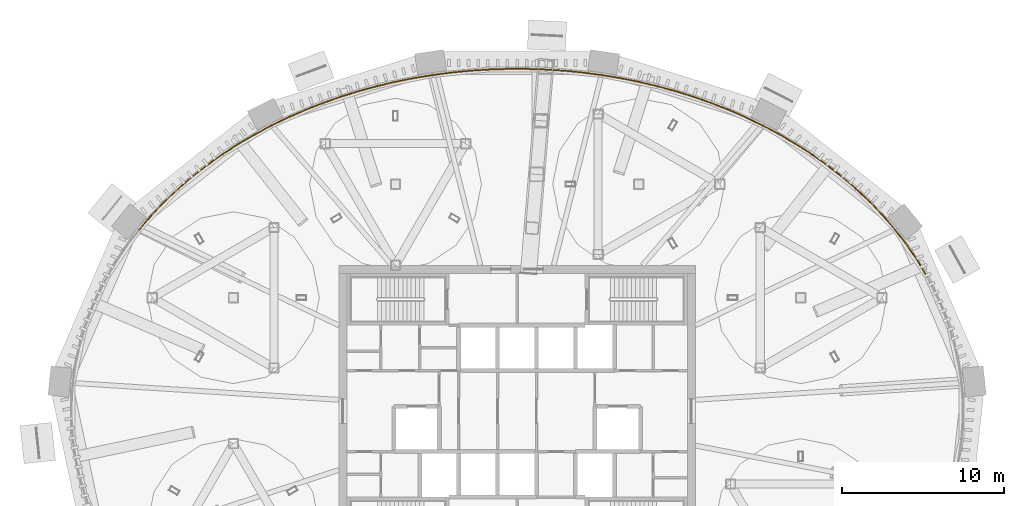
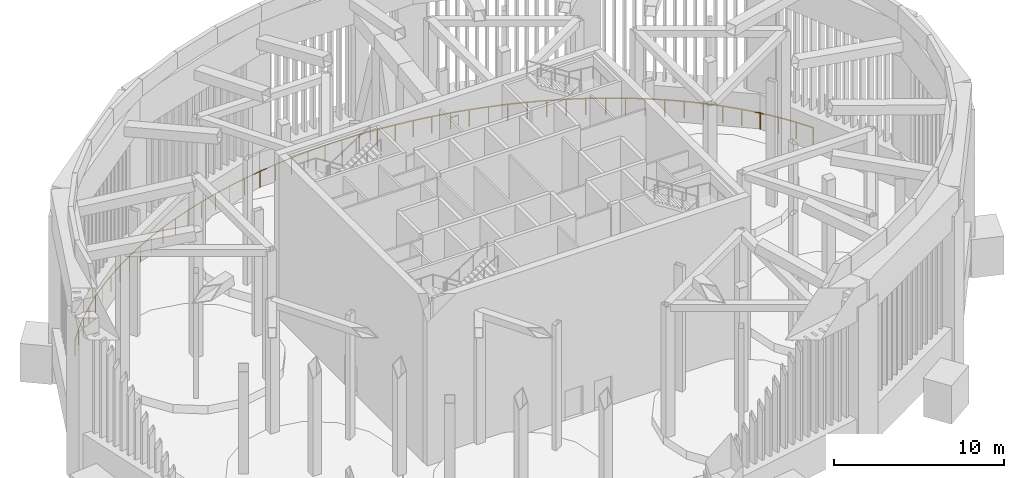
# One storey, part 14 of 14: 8 railings.
"""IFC4 building model written with IfcOpenShell, lengths in metres."""

from ifc_helpers import new_model, si_unit, direction, frame, origin, origin_2d, place, context, subcontext, project, spatial, circle, extrude, source, transform, mapped, material, type_object, element, save


model = new_model("IFC4")

# Units and contexts
model_context = context("Model", 3, precision=1e-05, world=origin(), true_north=direction((0.0, 1.0)))
body_context = subcontext(model_context, "Body", "Model", "MODEL_VIEW")
ifc_project = project(units=[si_unit("LENGTHUNIT", "METRE"), si_unit("AREAUNIT", "SQUARE_METRE"), si_unit("VOLUMEUNIT", "CUBIC_METRE"), si_unit("PLANEANGLEUNIT", "RADIAN"), si_unit("MASSUNIT", "GRAM", prefix="KILO")], contexts=[model_context])

# Site, building, storey
site_placement = place(None, origin())
site = spatial("IfcSite", under=ifc_project, at=site_placement, CompositionType="ELEMENT")
building_placement = place(site_placement, origin())
building = spatial("IfcBuilding", under=site, at=building_placement, Name="Embergate Tower", CompositionType="ELEMENT")
storey_placement = place(building_placement, frame((0.0, 0.0, 340.0)))
storey = spatial("IfcBuildingStorey", under=building, at=storey_placement, Name="L79", CompositionType="ELEMENT", Elevation=340.0)

# Railings
ifc_material = material(Name="Steel Q355B", Category="steel")
railing_type = type_object("IfcRailingType", Name="Slot edge guard", PredefinedType="GUARDRAIL", material=ifc_material)
shared_shape_1 = source(origin(), body_context, "Body", "SweptSolid", [
    extrude(circle(Radius=0.030029296875, at=origin_2d()), frame((0.0, 0.0, 1.169921875), z_axis=(-0.51273893643, 0.858544572558, 0.0), x_axis=(-0.858544572558, -0.51273893643, 0.0)), (0.0, 0.0, 1.0), 1.14501953125),
    extrude(circle(Radius=0.030029296875, at=origin_2d()), frame((-0.587158203125, 0.983154296875, 1.169921875), z_axis=(-0.562160279696, 0.827028306609, 0.0), x_axis=(-0.827028306609, -0.562160279696, 0.0)), (0.0, 0.0, 1.0), 1.15966796875),
    extrude(circle(Radius=0.030029296875, at=origin_2d()), frame((-1.239013671875, 1.942138671875, 1.169921875), z_axis=(-0.609299061567, 0.79294051074, 0.0), x_axis=(-0.79294051074, -0.609299061567, 0.0)), (0.0, 0.0, 1.0), 1.17529296875),
    extrude(circle(Radius=0.030029296875, at=origin_2d()), frame((-1.955078125, 2.8740234375, 1.169921875), z_axis=(-0.650931692548, 0.759136306362, 0.0), x_axis=(-0.759136306362, -0.650931692548, 0.0)), (0.0, 0.0, 1.0), 1.146240234375),
    extrude(circle(Radius=0.030029296875, at=origin_2d()), frame((-2.701171875, 3.744140625, 1.169921875), z_axis=(-0.690080457651, 0.723732659183, 0.0), x_axis=(-0.723732659183, -0.690080457651, 0.0)), (0.0, 0.0, 1.0), 1.160888671875),
    extrude(circle(Radius=0.030029296875, at=origin_2d()), frame((-3.502197265625, 4.584228515625, 1.169921875), z_axis=(-0.72643762883, 0.687232399861, 0.0), x_axis=(-0.687232399861, -0.72643762883, 0.0)), (0.0, 0.0, 1.0), 1.177001953125),
    extrude(circle(Radius=0.02490234375, at=origin_2d()), origin(), (0.0, 0.0, 1.0), 1.139892578125),
    extrude(circle(Radius=0.02490234375, at=origin_2d()), frame((-0.587158203125, 0.983154296875, 0.0)), (0.0, 0.0, 1.0), 1.139892578125),
    extrude(circle(Radius=0.02490234375, at=origin_2d()), frame((-1.239013671875, 1.942138671875, 0.0)), (0.0, 0.0, 1.0), 1.139892578125),
    extrude(circle(Radius=0.02490234375, at=origin_2d()), frame((-1.955078125, 2.8740234375, 0.0)), (0.0, 0.0, 1.0), 1.139892578125),
    extrude(circle(Radius=0.02490234375, at=origin_2d()), frame((-2.701171875, 3.744140625, 0.0)), (0.0, 0.0, 1.0), 1.139892578125),
    extrude(circle(Radius=0.02490234375, at=origin_2d()), frame((-3.502197265625, 4.584228515625, 0.0)), (0.0, 0.0, 1.0), 1.139892578125),
    extrude(circle(Radius=0.02490234375, at=origin_2d()), frame((-4.357177734375, 5.39306640625, 0.0)), (0.0, 0.0, 1.0), 1.139892578125),
])
railing_1_placement = place(storey_placement, frame((25.278076171875, 8.306884765625, 0.0)))
element("IfcRailing", 1, at=railing_1_placement, inside=storey, type_object=railing_type, Name="GRD-L79-01", PredefinedType="GUARDRAIL", context=body_context, shape_type="MappedRepresentation", body=[
    mapped(shared_shape_1, transform((0.0, 0.0, 0.0))),
])
shared_shape_2 = source(origin(), body_context, "Body", "SweptSolid", [
    extrude(circle(Radius=0.030029296875, at=origin_2d()), frame((0.0, 0.0, 1.169921875), z_axis=(-0.758204132151, 0.652017249764, 0.0), x_axis=(-0.652017249764, -0.758204132151, 0.0)), (0.0, 0.0, 1.0), 1.147216796875),
    extrude(circle(Radius=0.030029296875, at=origin_2d()), frame((-0.869873046875, 0.748046875, 1.169921875), z_axis=(-0.788571535905, 0.614943032126, 0.0), x_axis=(-0.614943032126, -0.788571535905, 0.0)), (0.0, 0.0, 1.0), 1.162841796875),
    extrude(circle(Radius=0.030029296875, at=origin_2d()), frame((-1.786865234375, 1.463134765625, 1.169921875), z_axis=(-0.815371226091, 0.578938480033, 0.0), x_axis=(-0.578938480033, -0.815371226091, 0.0)), (0.0, 0.0, 1.0), 1.176025390625),
    extrude(circle(Radius=0.030029296875, at=origin_2d()), frame((-2.745849609375, 2.14404296875, 1.169921875), z_axis=(-0.83999704899, 0.542590967202, 0.0), x_axis=(-0.542590967202, -0.83999704899, 0.0)), (0.0, 0.0, 1.0), 1.150146484375),
    extrude(circle(Radius=0.030029296875, at=origin_2d()), frame((-3.7119140625, 2.76806640625, 1.169921875), z_axis=(-0.86234405618, 0.506322751584, 0.0), x_axis=(-0.506322751584, -0.86234405618, 0.0)), (0.0, 0.0, 1.0), 1.1630859375),
    extrude(circle(Radius=0.030029296875, at=origin_2d()), frame((-4.71484375, 3.35693359375, 1.169921875), z_axis=(-0.882134203218, 0.470998139607, 0.0), x_axis=(-0.470998139607, -0.882134203218, 0.0)), (0.0, 0.0, 1.0), 1.174560546875),
    extrude(circle(Radius=0.02490234375, at=origin_2d()), origin(), (0.0, 0.0, 1.0), 1.139892578125),
    extrude(circle(Radius=0.02490234375, at=origin_2d()), frame((-0.869873046875, 0.748046875, 0.0)), (0.0, 0.0, 1.0), 1.139892578125),
    extrude(circle(Radius=0.02490234375, at=origin_2d()), frame((-1.786865234375, 1.463134765625, 0.0)), (0.0, 0.0, 1.0), 1.139892578125),
    extrude(circle(Radius=0.02490234375, at=origin_2d()), frame((-2.745849609375, 2.14404296875, 0.0)), (0.0, 0.0, 1.0), 1.139892578125),
    extrude(circle(Radius=0.02490234375, at=origin_2d()), frame((-3.7119140625, 2.76806640625, 0.0)), (0.0, 0.0, 1.0), 1.139892578125),
    extrude(circle(Radius=0.02490234375, at=origin_2d()), frame((-4.71484375, 3.35693359375, 0.0)), (0.0, 0.0, 1.0), 1.139892578125),
    extrude(circle(Radius=0.02490234375, at=origin_2d()), frame((-5.7509765625, 3.91015625, 0.0)), (0.0, 0.0, 1.0), 1.139892578125),
])
railing_2_placement = place(storey_placement, frame((20.9208984375, 13.699951171875, 0.0)))
element("IfcRailing", 2, at=railing_2_placement, inside=storey, type_object=railing_type, Name="GRD-L79-02", PredefinedType="GUARDRAIL", context=body_context, shape_type="MappedRepresentation", body=[
    mapped(shared_shape_2, transform((0.0, 0.0, 0.0))),
])
shared_shape_3 = source(origin(), body_context, "Body", "SweptSolid", [
    extrude(circle(Radius=0.030029296875, at=origin_2d()), frame((0.0, 0.0, 1.169921875), z_axis=(-0.899904745665, 0.436086515189, 0.0), x_axis=(-0.436086515189, -0.899904745665, 0.0)), (0.0, 0.0, 1.0), 1.1533203125),
    extrude(circle(Radius=0.030029296875, at=origin_2d()), frame((-1.037841796875, 0.5029296875, 1.169921875), z_axis=(-0.91627768128, 0.400543644049, 0.0), x_axis=(-0.400543644049, -0.91627768128, 0.0)), (0.0, 0.0, 1.0), 1.16357421875),
    extrude(circle(Radius=0.030029296875, at=origin_2d()), frame((-2.10400390625, 0.968994140625, 1.169921875), z_axis=(-0.93074137423, 0.365678129365, 0.0), x_axis=(-0.365678129365, -0.93074137423, 0.0)), (0.0, 0.0, 1.0), 1.173095703125),
    extrude(circle(Radius=0.030029296875, at=origin_2d()), frame((-3.19580078125, 1.39794921875, 1.169921875), z_axis=(-0.943538634761, 0.331262501217, 0.0), x_axis=(-0.331262501217, -0.943538634761, 0.0)), (0.0, 0.0, 1.0), 1.15625),
    extrude(circle(Radius=0.030029296875, at=origin_2d()), frame((-4.286865234375, 1.781005859375, 1.169921875), z_axis=(-0.954789306627, 0.297283332782, 0.0), x_axis=(-0.297283332782, -0.954789306627, 0.0)), (0.0, 0.0, 1.0), 1.16357421875),
    extrude(circle(Radius=0.030029296875, at=origin_2d()), frame((-5.39794921875, 2.126953125, 1.169921875), z_axis=(-0.964614558628, 0.26366409176, 0.0), x_axis=(-0.26366409176, -0.964614558628, 0.0)), (0.0, 0.0, 1.0), 1.17138671875),
    extrude(circle(Radius=0.02490234375, at=origin_2d()), origin(), (0.0, 0.0, 1.0), 1.139892578125),
    extrude(circle(Radius=0.02490234375, at=origin_2d()), frame((-1.037841796875, 0.5029296875, 0.0)), (0.0, 0.0, 1.0), 1.139892578125),
    extrude(circle(Radius=0.02490234375, at=origin_2d()), frame((-2.10400390625, 0.968994140625, 0.0)), (0.0, 0.0, 1.0), 1.139892578125),
    extrude(circle(Radius=0.02490234375, at=origin_2d()), frame((-3.19580078125, 1.39794921875, 0.0)), (0.0, 0.0, 1.0), 1.139892578125),
    extrude(circle(Radius=0.02490234375, at=origin_2d()), frame((-4.286865234375, 1.781005859375, 0.0)), (0.0, 0.0, 1.0), 1.139892578125),
    extrude(circle(Radius=0.02490234375, at=origin_2d()), frame((-5.39794921875, 2.126953125, 0.0)), (0.0, 0.0, 1.0), 1.139892578125),
    extrude(circle(Radius=0.02490234375, at=origin_2d()), frame((-6.52783203125, 2.435791015625, 0.0)), (0.0, 0.0, 1.0), 1.139892578125),
])
railing_3_placement = place(storey_placement, frame((15.169921875, 17.610107421875, 0.0)))
element("IfcRailing", 3, at=railing_3_placement, inside=storey, type_object=railing_type, Name="GRD-L79-03", PredefinedType="GUARDRAIL", context=body_context, shape_type="MappedRepresentation", body=[
    mapped(shared_shape_3, transform((0.0, 0.0, 0.0))),
])
shared_shape_4 = source(origin(), body_context, "Body", "SweptSolid", [
    extrude(circle(Radius=0.030029296875, at=origin_2d()), frame((0.0, 0.0, 1.169921875), z_axis=(-0.973245494362, 0.229767725548, 0.0), x_axis=(-0.229767725548, -0.973245494362, 0.0)), (0.0, 0.0, 1.0), 1.158203125),
    extrude(circle(Radius=0.030029296875, at=origin_2d()), frame((-1.127197265625, 0.26611328125, 1.169921875), z_axis=(-0.980475716763, 0.19664020148, 0.0), x_axis=(-0.19664020148, -0.980475716763, 0.0)), (0.0, 0.0, 1.0), 1.16455078125),
    extrude(circle(Radius=0.030029296875, at=origin_2d()), frame((-2.26904296875, 0.4951171875, 1.169921875), z_axis=(-0.986568377457, 0.163348818796, 0.0), x_axis=(-0.163348818796, -0.986568377457, 0.0)), (0.0, 0.0, 1.0), 1.168701171875),
    extrude(circle(Radius=0.030029296875, at=origin_2d()), frame((-3.422119140625, 0.68603515625, 1.169921875), z_axis=(-0.991502866582, 0.13008483985, 0.0), x_axis=(-0.13008483985, -0.991502866582, 0.0)), (0.0, 0.0, 1.0), 1.16162109375),
    extrude(circle(Radius=0.030029296875, at=origin_2d()), frame((-4.573974609375, 0.837158203125, 1.169921875), z_axis=(-0.995189702322, 0.097966608555, 0.0), x_axis=(-0.097966608555, -0.995189702322, 0.0)), (0.0, 0.0, 1.0), 1.163818359375),
    extrude(circle(Radius=0.030029296875, at=origin_2d()), frame((-5.732177734375, 0.951171875, 1.169921875), z_axis=(-0.997878628081, 0.06510179428, 0.0), x_axis=(-0.06510179428, -0.997878628081, 0.0)), (0.0, 0.0, 1.0), 1.166259765625),
    extrude(circle(Radius=0.02490234375, at=origin_2d()), origin(), (0.0, 0.0, 1.0), 1.139892578125),
    extrude(circle(Radius=0.02490234375, at=origin_2d()), frame((-1.127197265625, 0.26611328125, 0.0)), (0.0, 0.0, 1.0), 1.139892578125),
    extrude(circle(Radius=0.02490234375, at=origin_2d()), frame((-2.26904296875, 0.4951171875, 0.0)), (0.0, 0.0, 1.0), 1.139892578125),
    extrude(circle(Radius=0.02490234375, at=origin_2d()), frame((-3.422119140625, 0.68603515625, 0.0)), (0.0, 0.0, 1.0), 1.139892578125),
    extrude(circle(Radius=0.02490234375, at=origin_2d()), frame((-4.573974609375, 0.837158203125, 0.0)), (0.0, 0.0, 1.0), 1.139892578125),
    extrude(circle(Radius=0.02490234375, at=origin_2d()), frame((-5.732177734375, 0.951171875, 0.0)), (0.0, 0.0, 1.0), 1.139892578125),
    extrude(circle(Radius=0.02490234375, at=origin_2d()), frame((-6.89599609375, 1.027099609375, 0.0)), (0.0, 0.0, 1.0), 1.139892578125),
])
railing_4_placement = place(storey_placement, frame((8.64208984375, 20.0458984375, 0.0)))
element("IfcRailing", 4, at=railing_4_placement, inside=storey, type_object=railing_type, Name="GRD-L79-04", PredefinedType="GUARDRAIL", context=body_context, shape_type="MappedRepresentation", body=[
    mapped(shared_shape_4, transform((0.0, 0.0, 0.0))),
])
shared_shape_5 = source(origin(), body_context, "Body", "SweptSolid", [
    extrude(circle(Radius=0.030029296875, at=origin_2d()), frame((0.0, 0.0, 1.169921875), z_axis=(-0.999465191622, 0.03270062288, 0.0), x_axis=(-0.03270062288, -0.999465191622, 0.0)), (0.0, 0.0, 1.0), 1.164794921875),
    extrude(circle(Radius=0.030029296875, at=origin_2d()), frame((-1.1640625, 0.0380859375, 1.169921875), z_axis=(-1.0, 0.0, 0.0), x_axis=(0.0, -1.0, 0.0)), (0.0, 0.0, 1.0), 1.1640625),
    extrude(circle(Radius=0.030029296875, at=origin_2d()), frame((-2.328125, 0.0380859375, 1.169921875), z_axis=(-0.999465191622, -0.03270062288, 0.0), x_axis=(0.03270062288, -0.999465191622, 0.0)), (0.0, 0.0, 1.0), 1.164794921875),
    extrude(circle(Radius=0.030029296875, at=origin_2d()), frame((-3.4921875, 0.0, 1.169921875), z_axis=(-0.997878628081, -0.06510179428, 0.0), x_axis=(0.06510179428, -0.997878628081, 0.0)), (0.0, 0.0, 1.0), 1.166259765625),
    extrude(circle(Radius=0.030029296875, at=origin_2d()), frame((-4.656005859375, -0.075927734375, 1.169921875), z_axis=(-0.995189702322, -0.097966608555, 0.0), x_axis=(0.097966608555, -0.995189702322, 0.0)), (0.0, 0.0, 1.0), 1.163818359375),
    extrude(circle(Radius=0.030029296875, at=origin_2d()), frame((-5.814208984375, -0.18994140625, 1.169921875), z_axis=(-0.991502866582, -0.13008483985, 0.0), x_axis=(0.13008483985, -0.991502866582, 0.0)), (0.0, 0.0, 1.0), 1.16162109375),
    extrude(circle(Radius=0.02490234375, at=origin_2d()), origin(), (0.0, 0.0, 1.0), 1.139892578125),
    extrude(circle(Radius=0.02490234375, at=origin_2d()), frame((-1.1640625, 0.0380859375, 0.0)), (0.0, 0.0, 1.0), 1.139892578125),
    extrude(circle(Radius=0.02490234375, at=origin_2d()), frame((-2.328125, 0.0380859375, 0.0)), (0.0, 0.0, 1.0), 1.139892578125),
    extrude(circle(Radius=0.02490234375, at=origin_2d()), frame((-3.4921875, 0.0, 0.0)), (0.0, 0.0, 1.0), 1.139892578125),
    extrude(circle(Radius=0.02490234375, at=origin_2d()), frame((-4.656005859375, -0.075927734375, 0.0)), (0.0, 0.0, 1.0), 1.139892578125),
    extrude(circle(Radius=0.02490234375, at=origin_2d()), frame((-5.814208984375, -0.18994140625, 0.0)), (0.0, 0.0, 1.0), 1.139892578125),
    extrude(circle(Radius=0.02490234375, at=origin_2d()), frame((-6.966064453125, -0.341064453125, 0.0)), (0.0, 0.0, 1.0), 1.139892578125),
])
railing_5_placement = place(storey_placement, frame((1.74609375, 21.072998046875, 0.0)))
element("IfcRailing", 5, at=railing_5_placement, inside=storey, type_object=railing_type, Name="GRD-L79-05", PredefinedType="GUARDRAIL", context=body_context, shape_type="MappedRepresentation", body=[
    mapped(shared_shape_5, transform((0.0, 0.0, 0.0))),
])
shared_shape_6 = source(origin(), body_context, "Body", "SweptSolid", [
    extrude(circle(Radius=0.030029296875, at=origin_2d()), frame((0.0, 0.0, 1.169921875), z_axis=(-0.986568377457, -0.163348818796, 0.0), x_axis=(0.163348818796, -0.986568377457, 0.0)), (0.0, 0.0, 1.0), 1.168701171875),
    extrude(circle(Radius=0.030029296875, at=origin_2d()), frame((-1.153076171875, -0.19091796875, 1.169921875), z_axis=(-0.980475716763, -0.19664020148, 0.0), x_axis=(0.19664020148, -0.980475716763, 0.0)), (0.0, 0.0, 1.0), 1.16455078125),
    extrude(circle(Radius=0.030029296875, at=origin_2d()), frame((-2.294921875, -0.419921875, 1.169921875), z_axis=(-0.973245494362, -0.229767725548, 0.0), x_axis=(0.229767725548, -0.973245494362, 0.0)), (0.0, 0.0, 1.0), 1.158203125),
    extrude(circle(Radius=0.030029296875, at=origin_2d()), frame((-3.422119140625, -0.68603515625, 1.169921875), z_axis=(-0.964614558628, -0.26366409176, 0.0), x_axis=(0.26366409176, -0.964614558628, 0.0)), (0.0, 0.0, 1.0), 1.17138671875),
    extrude(circle(Radius=0.030029296875, at=origin_2d()), frame((-4.552001953125, -0.994873046875, 1.169921875), z_axis=(-0.954789306627, -0.297283332782, 0.0), x_axis=(0.297283332782, -0.954789306627, 0.0)), (0.0, 0.0, 1.0), 1.16357421875),
    extrude(circle(Radius=0.030029296875, at=origin_2d()), frame((-5.6630859375, -1.3408203125, 1.169921875), z_axis=(-0.943538634761, -0.331262501217, 0.0), x_axis=(0.331262501217, -0.943538634761, 0.0)), (0.0, 0.0, 1.0), 1.15625),
    extrude(circle(Radius=0.02490234375, at=origin_2d()), origin(), (0.0, 0.0, 1.0), 1.139892578125),
    extrude(circle(Radius=0.02490234375, at=origin_2d()), frame((-1.153076171875, -0.19091796875, 0.0)), (0.0, 0.0, 1.0), 1.139892578125),
    extrude(circle(Radius=0.02490234375, at=origin_2d()), frame((-2.294921875, -0.419921875, 0.0)), (0.0, 0.0, 1.0), 1.139892578125),
    extrude(circle(Radius=0.02490234375, at=origin_2d()), frame((-3.422119140625, -0.68603515625, 0.0)), (0.0, 0.0, 1.0), 1.139892578125),
    extrude(circle(Radius=0.02490234375, at=origin_2d()), frame((-4.552001953125, -0.994873046875, 0.0)), (0.0, 0.0, 1.0), 1.139892578125),
    extrude(circle(Radius=0.02490234375, at=origin_2d()), frame((-5.6630859375, -1.3408203125, 0.0)), (0.0, 0.0, 1.0), 1.139892578125),
    extrude(circle(Radius=0.02490234375, at=origin_2d()), frame((-6.754150390625, -1.723876953125, 0.0)), (0.0, 0.0, 1.0), 1.139892578125),
])
railing_6_placement = place(storey_placement, frame((-5.219970703125, 20.73193359375, 0.0)))
element("IfcRailing", 6, at=railing_6_placement, inside=storey, type_object=railing_type, Name="GRD-L79-06", PredefinedType="GUARDRAIL", context=body_context, shape_type="MappedRepresentation", body=[
    mapped(shared_shape_6, transform((0.0, 0.0, 0.0))),
])
shared_shape_7 = source(origin(), body_context, "Body", "SweptSolid", [
    extrude(circle(Radius=0.030029296875, at=origin_2d()), frame((0.0, 0.0, 1.169921875), z_axis=(-0.93074137423, -0.365678129365, 0.0), x_axis=(0.365678129365, -0.93074137423, 0.0)), (0.0, 0.0, 1.0), 1.173095703125),
    extrude(circle(Radius=0.030029296875, at=origin_2d()), frame((-1.091796875, -0.428955078125, 1.169921875), z_axis=(-0.91627768128, -0.400543644049, 0.0), x_axis=(0.400543644049, -0.91627768128, 0.0)), (0.0, 0.0, 1.0), 1.16357421875),
    extrude(circle(Radius=0.030029296875, at=origin_2d()), frame((-2.157958984375, -0.89501953125, 1.169921875), z_axis=(-0.899904745665, -0.436086515189, 0.0), x_axis=(0.436086515189, -0.899904745665, 0.0)), (0.0, 0.0, 1.0), 1.1533203125),
    extrude(circle(Radius=0.030029296875, at=origin_2d()), frame((-3.19580078125, -1.39794921875, 1.169921875), z_axis=(-0.882134203218, -0.470998139607, 0.0), x_axis=(0.470998139607, -0.882134203218, 0.0)), (0.0, 0.0, 1.0), 1.174560546875),
    extrude(circle(Radius=0.030029296875, at=origin_2d()), frame((-4.23193359375, -1.951171875, 1.169921875), z_axis=(-0.86234405618, -0.506322751584, 0.0), x_axis=(0.506322751584, -0.86234405618, 0.0)), (0.0, 0.0, 1.0), 1.1630859375),
    extrude(circle(Radius=0.030029296875, at=origin_2d()), frame((-5.23486328125, -2.5400390625, 1.169921875), z_axis=(-0.83999704899, -0.542590967202, 0.0), x_axis=(0.542590967202, -0.83999704899, 0.0)), (0.0, 0.0, 1.0), 1.150146484375),
    extrude(circle(Radius=0.02490234375, at=origin_2d()), origin(), (0.0, 0.0, 1.0), 1.139892578125),
    extrude(circle(Radius=0.02490234375, at=origin_2d()), frame((-1.091796875, -0.428955078125, 0.0)), (0.0, 0.0, 1.0), 1.139892578125),
    extrude(circle(Radius=0.02490234375, at=origin_2d()), frame((-2.157958984375, -0.89501953125, 0.0)), (0.0, 0.0, 1.0), 1.139892578125),
    extrude(circle(Radius=0.02490234375, at=origin_2d()), frame((-3.19580078125, -1.39794921875, 0.0)), (0.0, 0.0, 1.0), 1.139892578125),
    extrude(circle(Radius=0.02490234375, at=origin_2d()), frame((-4.23193359375, -1.951171875, 0.0)), (0.0, 0.0, 1.0), 1.139892578125),
    extrude(circle(Radius=0.02490234375, at=origin_2d()), frame((-5.23486328125, -2.5400390625, 0.0)), (0.0, 0.0, 1.0), 1.139892578125),
    extrude(circle(Radius=0.02490234375, at=origin_2d()), frame((-6.200927734375, -3.1640625, 0.0)), (0.0, 0.0, 1.0), 1.139892578125),
])
railing_7_placement = place(storey_placement, frame((-11.97412109375, 19.008056640625, 0.0)))
element("IfcRailing", 7, at=railing_7_placement, inside=storey, type_object=railing_type, Name="GRD-L79-07", PredefinedType="GUARDRAIL", context=body_context, shape_type="MappedRepresentation", body=[
    mapped(shared_shape_7, transform((0.0, 0.0, 0.0))),
])
shared_shape_8 = source(origin(), body_context, "Body", "SweptSolid", [
    extrude(circle(Radius=0.030029296875, at=origin_2d()), frame((0.0, 0.0, 1.169921875), z_axis=(-0.815371226091, -0.578938480033, 0.0), x_axis=(0.578938480033, -0.815371226091, 0.0)), (0.0, 0.0, 1.0), 1.176025390625),
    extrude(circle(Radius=0.030029296875, at=origin_2d()), frame((-0.958984375, -0.680908203125, 1.169921875), z_axis=(-0.788571535905, -0.614943032126, 0.0), x_axis=(0.614943032126, -0.788571535905, 0.0)), (0.0, 0.0, 1.0), 1.162841796875),
    extrude(circle(Radius=0.030029296875, at=origin_2d()), frame((-1.8759765625, -1.39599609375, 1.169921875), z_axis=(-0.758204132151, -0.652017249764, 0.0), x_axis=(0.652017249764, -0.758204132151, 0.0)), (0.0, 0.0, 1.0), 1.147216796875),
    extrude(circle(Radius=0.030029296875, at=origin_2d()), frame((-2.745849609375, -2.14404296875, 1.169921875), z_axis=(-0.72643762883, -0.687232399861, 0.0), x_axis=(0.687232399861, -0.72643762883, 0.0)), (0.0, 0.0, 1.0), 1.177001953125),
    extrude(circle(Radius=0.030029296875, at=origin_2d()), frame((-3.600830078125, -2.952880859375, 1.169921875), z_axis=(-0.690080457651, -0.723732659183, 0.0), x_axis=(0.723732659183, -0.690080457651, 0.0)), (0.0, 0.0, 1.0), 1.160888671875),
    extrude(circle(Radius=0.030029296875, at=origin_2d()), frame((-4.40185546875, -3.79296875, 1.169921875), z_axis=(-0.650931692548, -0.759136306362, 0.0), x_axis=(0.759136306362, -0.650931692548, 0.0)), (0.0, 0.0, 1.0), 1.146240234375),
    extrude(circle(Radius=0.02490234375, at=origin_2d()), origin(), (0.0, 0.0, 1.0), 1.139892578125),
    extrude(circle(Radius=0.02490234375, at=origin_2d()), frame((-0.958984375, -0.680908203125, 0.0)), (0.0, 0.0, 1.0), 1.139892578125),
    extrude(circle(Radius=0.02490234375, at=origin_2d()), frame((-1.8759765625, -1.39599609375, 0.0)), (0.0, 0.0, 1.0), 1.139892578125),
    extrude(circle(Radius=0.02490234375, at=origin_2d()), frame((-2.745849609375, -2.14404296875, 0.0)), (0.0, 0.0, 1.0), 1.139892578125),
    extrude(circle(Radius=0.02490234375, at=origin_2d()), frame((-3.600830078125, -2.952880859375, 0.0)), (0.0, 0.0, 1.0), 1.139892578125),
    extrude(circle(Radius=0.02490234375, at=origin_2d()), frame((-4.40185546875, -3.79296875, 0.0)), (0.0, 0.0, 1.0), 1.139892578125),
    extrude(circle(Radius=0.02490234375, at=origin_2d()), frame((-5.14794921875, -4.6630859375, 0.0)), (0.0, 0.0, 1.0), 1.139892578125),
])
railing_8_placement = place(storey_placement, frame((-18.175048828125, 15.843994140625, 0.0)))
element("IfcRailing", 8, at=railing_8_placement, inside=storey, type_object=railing_type, Name="GRD-L79-08", PredefinedType="GUARDRAIL", context=body_context, shape_type="MappedRepresentation", body=[
    mapped(shared_shape_8, transform((0.0, 0.0, 0.0))),
])

save(model, "model.ifc")
